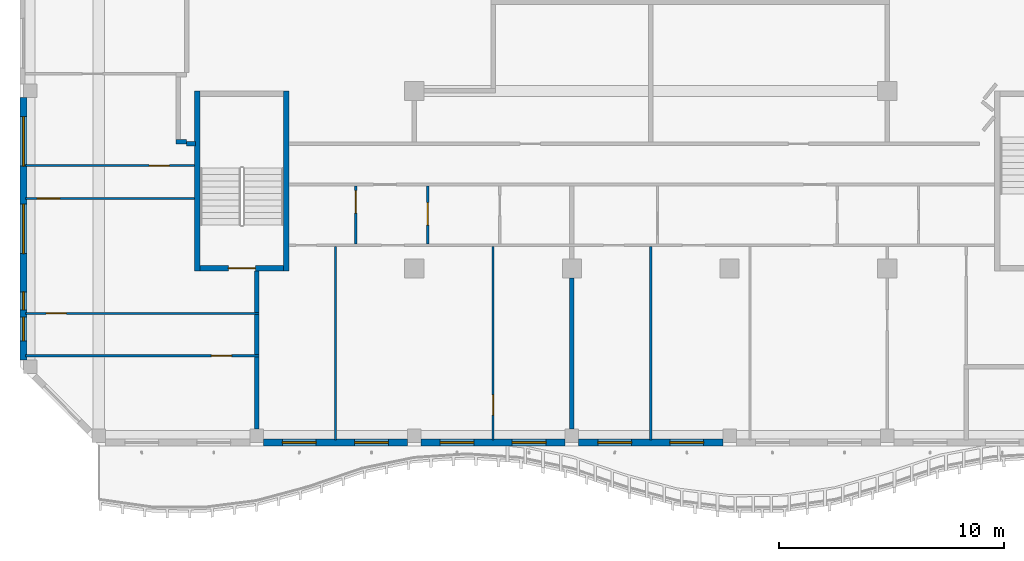
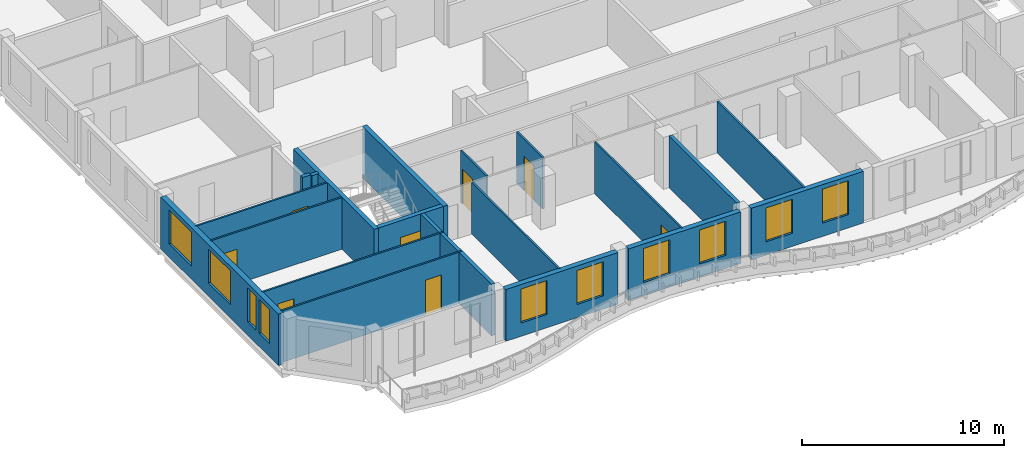
# One storey, part 2 of 17: 22 walls, 10 windows, 8 doors, 18 openings.
"""IFC4 building model written with IfcOpenShell, lengths in metres."""

from ifc_helpers import new_model, si_unit, direction, frame, frame_2d, origin, place, context, subcontext, project, spatial, rectangle, extrude, source, transform, mapped, material, layer, layer_set, type_object, element, fill, save


model = new_model("IFC4")

# Units and contexts
model_context = context("Model", 3, precision=1e-05, world=origin(), true_north=direction((0.0, 1.0)))
body_context = subcontext(model_context, "Body", "Model", "MODEL_VIEW")
ifc_project = project(units=[si_unit("LENGTHUNIT", "METRE"), si_unit("AREAUNIT", "SQUARE_METRE"), si_unit("VOLUMEUNIT", "CUBIC_METRE"), si_unit("PLANEANGLEUNIT", "RADIAN"), si_unit("MASSUNIT", "GRAM", prefix="KILO")], contexts=[model_context])

# Site, building, storey
site_placement = place(None, origin())
site = spatial("IfcSite", under=ifc_project, at=site_placement, CompositionType="ELEMENT")
building_placement = place(site_placement, origin())
building = spatial("IfcBuilding", under=site, at=building_placement, Name="Kilnfold Tower and Market Hall", CompositionType="ELEMENT")
storey_placement = place(building_placement, frame((0.0, 0.0, 298.39990234375)))
storey = spatial("IfcBuildingStorey", under=building, at=storey_placement, Name="L74", CompositionType="ELEMENT", Elevation=298.39990234375)

# Wall, opening, door
ifc_material_1 = material(Name="Gypsum board on steel studs", Category="steel")
ifc_layer_1 = layer(ifc_material_1, 0.10009765625)
ifc_layer_set_1 = layer_set([ifc_layer_1], Name="Gypsum board on steel studs")
wall_type_1 = type_object("IfcWallType", Name="WALL PARTITION 100", PredefinedType="PARTITIONING", material=ifc_layer_set_1)
wall_1_placement = place(storey_placement, frame((-14.89990234375, -19.5, 0.0), z_axis=(0.0, 0.0, 1.0), x_axis=(-1.0, 0.0, 0.0)))
wall_1 = element("IfcWall", 1, at=wall_1_placement, inside=storey, type_object=wall_type_1, Name="Partition LY45.23", PredefinedType="PARTITIONING", context=body_context, shape_type="SweptSolid", body=[
    extrude(rectangle(XDim=10.35009765625, YDim=0.10009765625, at=frame_2d((5.175048828125, 0.0))), origin(), (0.0, 0.0, 1.0), 3.1201171875),
])
opening_1_placement = place(wall_1_placement, frame((1.2060546875, 0.0, 0.0)))
opening_1 = element("IfcOpeningElement", 2, at=opening_1_placement, cuts=wall_1, Name="Opening D2", PredefinedType="OPENING", context=body_context, shape_type="SweptSolid", body=[
    extrude(rectangle(XDim=0.89990234375, YDim=2.10009765625, at=frame_2d((0.449951171875, 1.050048828125))), frame((0.0, 0.06005859375, 0.0), z_axis=(0.0, -1.0, 0.0), x_axis=(1.0, 0.0, 0.0)), (0.0, 0.0, 1.0), 0.1201171875),
])
ifc_material_2 = material(Name="Timber veneer door leaf in steel frame", Category="steel")
door_type_1 = type_object("IfcDoorType", Name="DOOR ROOM 900 X2100", OperationType="NOTDEFINED", PredefinedType="DOOR", material=ifc_material_2)
door_1_placement = place(opening_1_placement, origin())
door_1 = element("IfcDoor", 3, at=door_1_placement, inside=storey, type_object=door_type_1, Name="Door D2", OperationType="SINGLE_SWING_RIGHT", OverallHeight=2.10009765625, OverallWidth=0.89990234375, PredefinedType="DOOR", context=body_context, shape_type="SweptSolid", body=[
    extrude(rectangle(XDim=0.89990234375, YDim=2.10009765625, at=frame_2d((0.449951171875, 1.050048828125))), frame((0.0, 0.02490234375, 0.0), z_axis=(0.0, -1.0, 0.0), x_axis=(1.0, 0.0, 0.0)), (0.0, 0.0, 1.0), 0.050048828125),
])
fill(opening_1, door_1)

wall_2_placement = place(storey_placement, frame((-14.89990234375, -17.625, 0.0), z_axis=(0.0, 0.0, 1.0), x_axis=(-1.0, 0.0, 0.0)))
wall_2 = element("IfcWall", 4, at=wall_2_placement, inside=storey, type_object=wall_type_1, Name="Partition LY45.25", PredefinedType="PARTITIONING", context=body_context, shape_type="SweptSolid", body=[
    extrude(rectangle(XDim=10.35009765625, YDim=0.10009765625, at=frame_2d((5.175048828125, 0.0))), origin(), (0.0, 0.0, 1.0), 3.1201171875),
])
opening_2_placement = place(wall_2_placement, frame((8.5458984375, 0.0, 0.0)))
opening_2 = element("IfcOpeningElement", 5, at=opening_2_placement, cuts=wall_2, Name="Opening D2", PredefinedType="OPENING", context=body_context, shape_type="SweptSolid", body=[
    extrude(rectangle(XDim=0.89990234375, YDim=2.10009765625, at=frame_2d((0.449951171875, 1.050048828125))), frame((0.0, 0.06005859375, 0.0), z_axis=(0.0, -1.0, 0.0), x_axis=(1.0, 0.0, 0.0)), (0.0, 0.0, 1.0), 0.1201171875),
])
door_2_placement = place(opening_2_placement, origin())
door_2 = element("IfcDoor", 6, at=door_2_placement, inside=storey, type_object=door_type_1, Name="Door D2", OperationType="SINGLE_SWING_LEFT", OverallHeight=2.10009765625, OverallWidth=0.89990234375, PredefinedType="DOOR", context=body_context, shape_type="SweptSolid", body=[
    extrude(rectangle(XDim=0.89990234375, YDim=2.10009765625, at=frame_2d((0.449951171875, 1.050048828125))), frame((0.0, 0.02490234375, 0.0), z_axis=(0.0, -1.0, 0.0), x_axis=(1.0, 0.0, 0.0)), (0.0, 0.0, 1.0), 0.050048828125),
])
fill(opening_2, door_2)

wall_3_placement = place(storey_placement, frame((-17.75, -12.52490234375, 0.0), z_axis=(0.0, 0.0, 1.0), x_axis=(-1.0, 0.0, 0.0)))
wall_3 = element("IfcWall", 7, at=wall_3_placement, inside=storey, type_object=wall_type_1, Name="Partition LY45.27", PredefinedType="PARTITIONING", context=body_context, shape_type="SweptSolid", body=[
    extrude(rectangle(XDim=7.5, YDim=0.10009765625, at=frame_2d((3.75, 0.0))), origin(), (0.0, 0.0, 1.0), 3.1201171875),
])
opening_3_placement = place(wall_3_placement, frame((5.9951171875, 0.0, 0.0)))
opening_3 = element("IfcOpeningElement", 8, at=opening_3_placement, cuts=wall_3, Name="Opening D1", PredefinedType="OPENING", context=body_context, shape_type="SweptSolid", body=[
    extrude(rectangle(XDim=1.0, YDim=2.10009765625, at=frame_2d((0.5, 1.050048828125))), frame((0.0, 0.06005859375, 0.0), z_axis=(0.0, -1.0, 0.0), x_axis=(1.0, 0.0, 0.0)), (0.0, 0.0, 1.0), 0.1201171875),
])
ifc_material_3 = material(Name="Timber veneer door leaf in steel frame", Category="steel")
door_type_2 = type_object("IfcDoorType", Name="DOOR ENTRY 1000 X2100", OperationType="NOTDEFINED", PredefinedType="DOOR", material=ifc_material_3)
door_3_placement = place(opening_3_placement, origin())
door_3 = element("IfcDoor", 9, at=door_3_placement, inside=storey, type_object=door_type_2, Name="Door D1", OperationType="SINGLE_SWING_LEFT", OverallHeight=2.10009765625, OverallWidth=1.0, PredefinedType="DOOR", context=body_context, shape_type="SweptSolid", body=[
    extrude(rectangle(XDim=1.0, YDim=2.10009765625, at=frame_2d((0.5, 1.050048828125))), frame((0.0, 0.02490234375, 0.0), z_axis=(0.0, -1.0, 0.0), x_axis=(1.0, 0.0, 0.0)), (0.0, 0.0, 1.0), 0.050048828125),
])
fill(opening_3, door_3)

wall_4_placement = place(storey_placement, frame((-17.75, -11.06201171875, 0.0), z_axis=(0.0, 0.0, 1.0), x_axis=(-1.0, 0.0, 0.0)))
wall_4 = element("IfcWall", 10, at=wall_4_placement, inside=storey, type_object=wall_type_1, Name="Partition LY45.29", PredefinedType="PARTITIONING", context=body_context, shape_type="SweptSolid", body=[
    extrude(rectangle(XDim=7.5, YDim=0.10009765625, at=frame_2d((3.75, 0.0))), origin(), (0.0, 0.0, 1.0), 3.1201171875),
])
opening_4_placement = place(wall_4_placement, frame((1.114990234375, 0.0, 0.0)))
opening_4 = element("IfcOpeningElement", 11, at=opening_4_placement, cuts=wall_4, Name="Opening D2", PredefinedType="OPENING", context=body_context, shape_type="SweptSolid", body=[
    extrude(rectangle(XDim=0.89990234375, YDim=2.10009765625, at=frame_2d((0.449951171875, 1.050048828125))), frame((0.0, 0.06005859375, 0.0), z_axis=(0.0, -1.0, 0.0), x_axis=(1.0, 0.0, 0.0)), (0.0, 0.0, 1.0), 0.1201171875),
])
door_4_placement = place(opening_4_placement, origin())
door_4 = element("IfcDoor", 12, at=door_4_placement, inside=storey, type_object=door_type_1, Name="Door D2", OperationType="SINGLE_SWING_LEFT", OverallHeight=2.10009765625, OverallWidth=0.89990234375, PredefinedType="DOOR", context=body_context, shape_type="SweptSolid", body=[
    extrude(rectangle(XDim=0.89990234375, YDim=2.10009765625, at=frame_2d((0.449951171875, 1.050048828125))), frame((0.0, 0.02490234375, 0.0), z_axis=(0.0, -1.0, 0.0), x_axis=(1.0, 0.0, 0.0)), (0.0, 0.0, 1.0), 0.050048828125),
])
fill(opening_4, door_4)

wall_5_placement = place(storey_placement, frame((-10.60009765625, -14.550048828125, 0.0), z_axis=(0.0, 0.0, 1.0), x_axis=(0.0, 1.0, 0.0)))
wall_5 = element("IfcWall", 13, at=wall_5_placement, inside=storey, type_object=wall_type_1, Name="Partition LY45.40", PredefinedType="PARTITIONING", context=body_context, shape_type="SweptSolid", body=[
    extrude(rectangle(XDim=2.572998046875, YDim=0.10009765625, at=frame_2d((1.28662109375, 0.0))), origin(), (0.0, 0.0, 1.0), 3.1201171875),
])
opening_5_placement = place(wall_5_placement, frame((1.373046875, 0.0, 0.0)))
opening_5 = element("IfcOpeningElement", 14, at=opening_5_placement, cuts=wall_5, Name="Opening D1", PredefinedType="OPENING", context=body_context, shape_type="SweptSolid", body=[
    extrude(rectangle(XDim=1.0, YDim=2.10009765625, at=frame_2d((0.5, 1.050048828125))), frame((0.0, 0.06005859375, 0.0), z_axis=(0.0, -1.0, 0.0), x_axis=(1.0, 0.0, 0.0)), (0.0, 0.0, 1.0), 0.1201171875),
])
door_5_placement = place(opening_5_placement, origin())
door_5 = element("IfcDoor", 15, at=door_5_placement, inside=storey, type_object=door_type_2, Name="Door D1", OperationType="SINGLE_SWING_LEFT", OverallHeight=2.10009765625, OverallWidth=1.0, PredefinedType="DOOR", context=body_context, shape_type="SweptSolid", body=[
    extrude(rectangle(XDim=1.0, YDim=2.10009765625, at=frame_2d((0.5, 1.050048828125))), frame((0.0, 0.02490234375, 0.0), z_axis=(0.0, -1.0, 0.0), x_axis=(1.0, 0.0, 0.0)), (0.0, 0.0, 1.0), 0.050048828125),
])
fill(opening_5, door_5)

wall_6_placement = place(storey_placement, frame((-7.39990234375, -14.550048828125, 0.0), z_axis=(0.0, 0.0, 1.0), x_axis=(0.0, 1.0, 0.0)))
wall_6 = element("IfcWall", 16, at=wall_6_placement, inside=storey, type_object=wall_type_1, Name="Partition LY45.42", PredefinedType="PARTITIONING", context=body_context, shape_type="SweptSolid", body=[
    extrude(rectangle(XDim=2.572998046875, YDim=0.10009765625, at=frame_2d((1.28662109375, 0.0))), origin(), (0.0, 0.0, 1.0), 3.1201171875),
])
opening_6_placement = place(wall_6_placement, frame((0.840087890625, 0.0, 0.0)))
opening_6 = element("IfcOpeningElement", 17, at=opening_6_placement, cuts=wall_6, Name="Opening D1", PredefinedType="OPENING", context=body_context, shape_type="SweptSolid", body=[
    extrude(rectangle(XDim=1.0, YDim=2.10009765625, at=frame_2d((0.5, 1.050048828125))), frame((0.0, 0.06005859375, 0.0), z_axis=(0.0, -1.0, 0.0), x_axis=(1.0, 0.0, 0.0)), (0.0, 0.0, 1.0), 0.1201171875),
])
door_6_placement = place(opening_6_placement, origin())
door_6 = element("IfcDoor", 18, at=door_6_placement, inside=storey, type_object=door_type_2, Name="Door D1", OperationType="SINGLE_SWING_LEFT", OverallHeight=2.10009765625, OverallWidth=1.0, PredefinedType="DOOR", context=body_context, shape_type="SweptSolid", body=[
    extrude(rectangle(XDim=1.0, YDim=2.10009765625, at=frame_2d((0.5, 1.050048828125))), frame((0.0, 0.02490234375, 0.0), z_axis=(0.0, -1.0, 0.0), x_axis=(1.0, 0.0, 0.0)), (0.0, 0.0, 1.0), 0.050048828125),
])
fill(opening_6, door_6)

# Wall
wall_7_placement = place(storey_placement, frame((-11.5, -23.25, 0.0), z_axis=(0.0, 0.0, 1.0), x_axis=(0.0, 1.0, 0.0)))
element("IfcWall", 19, at=wall_7_placement, inside=storey, type_object=wall_type_1, Name="Partition LY45.45", PredefinedType="PARTITIONING", context=body_context, shape_type="SweptSolid", body=[
    extrude(rectangle(XDim=8.597900390625, YDim=0.10009765625, at=frame_2d((4.298828125, 0.0))), origin(), (0.0, 0.0, 1.0), 3.1201171875),
])

# Wall, opening, door
wall_8_placement = place(storey_placement, frame((-4.5, -23.25, 0.0), z_axis=(0.0, 0.0, 1.0), x_axis=(0.0, 1.0, 0.0)))
wall_8 = element("IfcWall", 20, at=wall_8_placement, inside=storey, type_object=wall_type_1, Name="Partition LY45.46", PredefinedType="PARTITIONING", context=body_context, shape_type="SweptSolid", body=[
    extrude(rectangle(XDim=8.597900390625, YDim=0.10009765625, at=frame_2d((4.298828125, 0.0))), origin(), (0.0, 0.0, 1.0), 3.1201171875),
])
opening_7_placement = place(wall_8_placement, frame((1.112060546875, 0.0, 0.0)))
opening_7 = element("IfcOpeningElement", 21, at=opening_7_placement, cuts=wall_8, Name="Opening D2", PredefinedType="OPENING", context=body_context, shape_type="SweptSolid", body=[
    extrude(rectangle(XDim=0.89990234375, YDim=2.10009765625, at=frame_2d((0.449951171875, 1.050048828125))), frame((0.0, 0.06005859375, 0.0), z_axis=(0.0, -1.0, 0.0), x_axis=(1.0, 0.0, 0.0)), (0.0, 0.0, 1.0), 0.1201171875),
])
door_7_placement = place(opening_7_placement, origin())
door_7 = element("IfcDoor", 22, at=door_7_placement, inside=storey, type_object=door_type_1, Name="Door D2", OperationType="SINGLE_SWING_RIGHT", OverallHeight=2.10009765625, OverallWidth=0.89990234375, PredefinedType="DOOR", context=body_context, shape_type="SweptSolid", body=[
    extrude(rectangle(XDim=0.89990234375, YDim=2.10009765625, at=frame_2d((0.449951171875, 1.050048828125))), frame((0.0, 0.02490234375, 0.0), z_axis=(0.0, -1.0, 0.0), x_axis=(1.0, 0.0, 0.0)), (0.0, 0.0, 1.0), 0.050048828125),
])
fill(opening_7, door_7)

# Walls
wall_9_placement = place(storey_placement, frame((2.5, -23.25, 0.0), z_axis=(0.0, 0.0, 1.0), x_axis=(0.0, 1.0, 0.0)))
element("IfcWall", 23, at=wall_9_placement, inside=storey, type_object=wall_type_1, Name="Partition LY45.52", PredefinedType="PARTITIONING", context=body_context, shape_type="SweptSolid", body=[
    extrude(rectangle(XDim=8.597900390625, YDim=0.10009765625, at=frame_2d((4.298828125, 0.0))), origin(), (0.0, 0.0, 1.0), 3.1201171875),
])
ifc_material_4 = material(Name="Gypsum board on steel studs", Category="steel")
ifc_layer_2 = layer(ifc_material_4, 0.199951171875)
ifc_layer_set_2 = layer_set([ifc_layer_2], Name="Gypsum board on steel studs")
wall_type_2 = type_object("IfcWallType", Name="WALL PARTY 200", PredefinedType="PARTITIONING", material=ifc_layer_set_2)
wall_10_placement = place(storey_placement, frame((-15.0, -22.75, 0.0), z_axis=(0.0, 0.0, 1.0), x_axis=(0.0, 1.0, 0.0)))
element("IfcWall", 24, at=wall_10_placement, inside=storey, type_object=wall_type_2, Name="Partition LY45.24", PredefinedType="PARTITIONING", context=body_context, shape_type="SweptSolid", body=[
    extrude(rectangle(XDim=3.199951171875, YDim=0.199951171875, at=frame_2d((1.60009765625, 0.0))), origin(), (0.0, 0.0, 1.0), 3.1201171875),
])
wall_11_placement = place(storey_placement, frame((-15.0, -19.449951171875, 0.0), z_axis=(0.0, 0.0, 1.0), x_axis=(0.0, 1.0, 0.0)))
element("IfcWall", 25, at=wall_11_placement, inside=storey, type_object=wall_type_2, Name="Partition LY45.26", PredefinedType="PARTITIONING", context=body_context, shape_type="SweptSolid", body=[
    extrude(rectangle(XDim=1.77490234375, YDim=0.199951171875, at=frame_2d((0.887451171875, 0.0))), origin(), (0.0, 0.0, 1.0), 3.1201171875),
])
wall_12_placement = place(storey_placement, frame((-15.0, -17.574951171875, 0.0), z_axis=(0.0, 0.0, 1.0), x_axis=(0.0, 1.0, 0.0)))
element("IfcWall", 26, at=wall_12_placement, inside=storey, type_object=wall_type_2, Name="Partition LY45.28", PredefinedType="PARTITIONING", context=body_context, shape_type="SweptSolid", body=[
    extrude(rectangle(XDim=1.824951171875, YDim=0.199951171875, at=frame_2d((0.91259765625, 0.0))), origin(), (0.0, 0.0, 1.0), 3.1201171875),
])
wall_13_placement = place(storey_placement, frame((-17.699951171875, -10.10009765625, 0.0), z_axis=(0.0, 0.0, 1.0), x_axis=(-1.0, 0.0, 0.0)))
element("IfcWall", 27, at=wall_13_placement, inside=storey, type_object=wall_type_2, Name="Partition LY45.31", PredefinedType="PARTITIONING", context=body_context, shape_type="SweptSolid", body=[
    extrude(rectangle(XDim=0.400146484375, YDim=0.199951171875, at=frame_2d((0.2001953125, 0.0))), origin(), (0.0, 0.0, 1.0), 3.1201171875),
])
wall_14_placement = place(storey_placement, frame((-18.10009765625, -10.001953125, 0.0), z_axis=(0.0, 0.0, 1.0), x_axis=(-1.0, 0.0, 0.0)))
element("IfcWall", 28, at=wall_14_placement, inside=storey, type_object=wall_type_2, Name="Partition LY45.34", PredefinedType="PARTITIONING", context=body_context, shape_type="SweptSolid", body=[
    extrude(rectangle(XDim=0.48193359375, YDim=0.199951171875, at=frame_2d((0.240966796875, 0.0))), origin(), (0.0, 0.0, 1.0), 3.1201171875),
])
wall_15_placement = place(storey_placement, frame((-1.0, -22.75, 0.0), z_axis=(0.0, 0.0, 1.0), x_axis=(0.0, 1.0, 0.0)))
element("IfcWall", 29, at=wall_15_placement, inside=storey, type_object=wall_type_2, Name="Partition LY45.48", PredefinedType="PARTITIONING", context=body_context, shape_type="SweptSolid", body=[
    extrude(rectangle(XDim=6.699951171875, YDim=0.199951171875, at=frame_2d((3.35009765625, 0.0))), origin(), (0.0, 0.0, 1.0), 3.1201171875),
])

# Wall, opening, door
ifc_material_5 = material(Name="Concrete C50", Category="concrete")
ifc_layer_3 = layer(ifc_material_5, 0.25)
ifc_layer_set_3 = layer_set([ifc_layer_3], Name="Concrete C50")
wall_type_3 = type_object("IfcWallType", Name="CORE WALL 250 C50", PredefinedType="SHEAR", material=ifc_layer_set_3)
shared_shape_1 = source(origin(), body_context, "Body", "SweptSolid", [
    extrude(rectangle(XDim=3.699951171875, YDim=0.25, at=frame_2d((1.85009765625, 0.0))), origin(), (0.0, 0.0, 1.0), 3.1201171875),
])
wall_16_placement = place(storey_placement, frame((-17.5, -15.625, 0.0), z_axis=(0.0, 0.0, 1.0), x_axis=(1.0, 0.0, 0.0)))
wall_16 = element("IfcWall", 30, at=wall_16_placement, inside=storey, type_object=wall_type_3, Name="Stair enclosure ST3", PredefinedType="SHEAR", context=body_context, shape_type="MappedRepresentation", body=[
    mapped(shared_shape_1, transform((0.0, 0.0, 0.0))),
])
opening_8_placement = place(wall_16_placement, frame((1.25, 0.0, 0.0)))
opening_8 = element("IfcOpeningElement", 31, at=opening_8_placement, cuts=wall_16, Name="Opening SD1", PredefinedType="OPENING", context=body_context, shape_type="SweptSolid", body=[
    extrude(rectangle(XDim=1.199951171875, YDim=2.10009765625, at=frame_2d((0.60009765625, 1.050048828125))), frame((0.0, 0.135009765625, 0.0), z_axis=(0.0, -1.0, 0.0), x_axis=(1.0, 0.0, 0.0)), (0.0, 0.0, 1.0), 0.27001953125),
])
ifc_material_6 = material(Name="Steel door set with fire-resisting leaf", Category="steel")
door_type_3 = type_object("IfcDoorType", Name="STAIR FLOOR DOOR 1200X2100", OperationType="NOTDEFINED", PredefinedType="DOOR", material=ifc_material_6)
door_8_placement = place(opening_8_placement, origin())
door_8 = element("IfcDoor", 32, at=door_8_placement, inside=storey, type_object=door_type_3, Name="Exit stair ST3 door", OperationType="DOUBLE_DOOR_SINGLE_SWING", OverallHeight=2.10009765625, OverallWidth=1.199951171875, PredefinedType="DOOR", context=body_context, shape_type="SweptSolid", body=[
    extrude(rectangle(XDim=1.199951171875, YDim=2.10009765625, at=frame_2d((0.60009765625, 1.050048828125))), frame((0.0, 0.02490234375, 0.0), z_axis=(0.0, -1.0, 0.0), x_axis=(1.0, 0.0, 0.0)), (0.0, 0.0, 1.0), 0.050048828125),
])
fill(opening_8, door_8)

# Walls
shared_shape_2 = source(origin(), body_context, "Body", "SweptSolid", [
    extrude(rectangle(XDim=8.0, YDim=0.25, at=frame_2d((4.0, 0.0))), origin(), (0.0, 0.0, 1.0), 3.1201171875),
])
for number, where, z_axis, x_axis, name in (
    (33, (-17.625, -15.75, 0.0), (0.0, 0.0, 1.0), (0.0, 1.0, 0.0), "Stair enclosure ST3"),
    (34, (-13.675048828125, -15.75, 0.0), (0.0, 0.0, 1.0), (0.0, 1.0, 0.0), "Stair enclosure ST3"),
):
    element("IfcWall", number, at=place(storey_placement, frame(where, z_axis=z_axis, x_axis=x_axis)), inside=storey, type_object=wall_type_3, Name=name, PredefinedType="SHEAR", context=body_context, shape_type="MappedRepresentation", body=[
        mapped(shared_shape_2, transform((0.0, 0.0, 0.0))),
    ])

# Wall, openings, windows
ifc_material_7 = material(Name="Precast concrete C50/60", Category="concrete")
ifc_layer_4 = layer(ifc_material_7, 0.300048828125)
ifc_layer_set_4 = layer_set([ifc_layer_4], Name="Precast concrete C50/60")
wall_type_4 = type_object("IfcWallType", Name="PRECAST WALL 300", PredefinedType="SOLIDWALL", material=ifc_layer_set_4)
shared_shape_3 = source(origin(), body_context, "Body", "SweptSolid", [
    extrude(rectangle(XDim=6.39990234375, YDim=0.300048828125, at=frame_2d((3.199951171875, 0.0))), origin(), (0.0, 0.0, 1.0), 3.1201171875),
])
wall_17_placement = place(storey_placement, frame((-14.699951171875, -23.35009765625, 0.0), z_axis=(0.0, 0.0, 1.0), x_axis=(1.0, 0.0, 0.0)))
wall_17 = element("IfcWall", 35, at=wall_17_placement, inside=storey, type_object=wall_type_4, Name="External wall L74 S", PredefinedType="SOLIDWALL", context=body_context, shape_type="MappedRepresentation", body=[
    mapped(shared_shape_3, transform((0.0, 0.0, 0.0))),
])
opening_9_placement = place(wall_17_placement, frame((0.85009765625, 0.0, 0.800048828125)))
opening_9 = element("IfcOpeningElement", 36, at=opening_9_placement, cuts=wall_17, Name="Opening W5", PredefinedType="OPENING", context=body_context, shape_type="SweptSolid", body=[
    extrude(rectangle(XDim=1.5, YDim=2.050048828125, at=frame_2d((0.75, 1.02490234375))), frame((0.0, 0.16015625, 0.0), z_axis=(0.0, -1.0, 0.0), x_axis=(1.0, 0.0, 0.0)), (0.0, 0.0, 1.0), 0.320068359375),
])
opening_10_placement = place(wall_17_placement, frame((4.050048828125, 0.0, 0.800048828125)))
opening_10 = element("IfcOpeningElement", 37, at=opening_10_placement, cuts=wall_17, Name="Opening W5", PredefinedType="OPENING", context=body_context, shape_type="SweptSolid", body=[
    extrude(rectangle(XDim=1.5, YDim=2.050048828125, at=frame_2d((0.75, 1.02490234375))), frame((0.0, 0.16015625, 0.0), z_axis=(0.0, -1.0, 0.0), x_axis=(1.0, 0.0, 0.0)), (0.0, 0.0, 1.0), 0.320068359375),
])
ifc_material_8 = material(Name="Aluminium frame and double glazing", Category="aluminium")
window_type_1 = type_object("IfcWindowType", Name="WINDOW W5 1500X2050", PartitioningType="SINGLE_PANEL", PredefinedType="WINDOW", material=ifc_material_8)
window_1_placement = place(opening_9_placement, origin())
window_1 = element("IfcWindow", 38, at=window_1_placement, inside=storey, type_object=window_type_1, Name="Window W5 L74 S-1", OverallHeight=2.050048828125, OverallWidth=1.5, PartitioningType="SINGLE_PANEL", PredefinedType="WINDOW", context=body_context, shape_type="SweptSolid", body=[
    extrude(rectangle(XDim=1.5, YDim=2.050048828125, at=frame_2d((0.75, 1.02490234375))), frame((0.0, 0.030029296875, 0.0), z_axis=(0.0, -1.0, 0.0), x_axis=(1.0, 0.0, 0.0)), (0.0, 0.0, 1.0), 0.06005859375),
])
fill(opening_9, window_1)
window_2_placement = place(opening_10_placement, origin())
window_2 = element("IfcWindow", 39, at=window_2_placement, inside=storey, type_object=window_type_1, Name="Window W5 L74 S-2", OverallHeight=2.050048828125, OverallWidth=1.5, PartitioningType="SINGLE_PANEL", PredefinedType="WINDOW", context=body_context, shape_type="SweptSolid", body=[
    extrude(rectangle(XDim=1.5, YDim=2.050048828125, at=frame_2d((0.75, 1.02490234375))), frame((0.0, 0.030029296875, 0.0), z_axis=(0.0, -1.0, 0.0), x_axis=(1.0, 0.0, 0.0)), (0.0, 0.0, 1.0), 0.06005859375),
])
fill(opening_10, window_2)

wall_18_placement = place(storey_placement, frame((-7.699951171875, -23.35009765625, 0.0), z_axis=(0.0, 0.0, 1.0), x_axis=(1.0, 0.0, 0.0)))
wall_18 = element("IfcWall", 40, at=wall_18_placement, inside=storey, type_object=wall_type_4, Name="External wall L74 S", PredefinedType="SOLIDWALL", context=body_context, shape_type="MappedRepresentation", body=[
    mapped(shared_shape_3, transform((0.0, 0.0, 0.0))),
])
opening_11_placement = place(wall_18_placement, frame((0.85009765625, 0.0, 0.800048828125)))
opening_11 = element("IfcOpeningElement", 41, at=opening_11_placement, cuts=wall_18, Name="Opening W5", PredefinedType="OPENING", context=body_context, shape_type="SweptSolid", body=[
    extrude(rectangle(XDim=1.5, YDim=2.050048828125, at=frame_2d((0.75, 1.02490234375))), frame((0.0, 0.16015625, 0.0), z_axis=(0.0, -1.0, 0.0), x_axis=(1.0, 0.0, 0.0)), (0.0, 0.0, 1.0), 0.320068359375),
])
opening_12_placement = place(wall_18_placement, frame((4.050048828125, 0.0, 0.800048828125)))
opening_12 = element("IfcOpeningElement", 42, at=opening_12_placement, cuts=wall_18, Name="Opening W5", PredefinedType="OPENING", context=body_context, shape_type="SweptSolid", body=[
    extrude(rectangle(XDim=1.5, YDim=2.050048828125, at=frame_2d((0.75, 1.02490234375))), frame((0.0, 0.16015625, 0.0), z_axis=(0.0, -1.0, 0.0), x_axis=(1.0, 0.0, 0.0)), (0.0, 0.0, 1.0), 0.320068359375),
])
window_3_placement = place(opening_11_placement, origin())
window_3 = element("IfcWindow", 43, at=window_3_placement, inside=storey, type_object=window_type_1, Name="Window W5 L74 S-1", OverallHeight=2.050048828125, OverallWidth=1.5, PartitioningType="SINGLE_PANEL", PredefinedType="WINDOW", context=body_context, shape_type="SweptSolid", body=[
    extrude(rectangle(XDim=1.5, YDim=2.050048828125, at=frame_2d((0.75, 1.02490234375))), frame((0.0, 0.030029296875, 0.0), z_axis=(0.0, -1.0, 0.0), x_axis=(1.0, 0.0, 0.0)), (0.0, 0.0, 1.0), 0.06005859375),
])
fill(opening_11, window_3)
window_4_placement = place(opening_12_placement, origin())
window_4 = element("IfcWindow", 44, at=window_4_placement, inside=storey, type_object=window_type_1, Name="Window W5 L74 S-2", OverallHeight=2.050048828125, OverallWidth=1.5, PartitioningType="SINGLE_PANEL", PredefinedType="WINDOW", context=body_context, shape_type="SweptSolid", body=[
    extrude(rectangle(XDim=1.5, YDim=2.050048828125, at=frame_2d((0.75, 1.02490234375))), frame((0.0, 0.030029296875, 0.0), z_axis=(0.0, -1.0, 0.0), x_axis=(1.0, 0.0, 0.0)), (0.0, 0.0, 1.0), 0.06005859375),
])
fill(opening_12, window_4)

wall_19_placement = place(storey_placement, frame((-0.699951171875, -23.35009765625, 0.0), z_axis=(0.0, 0.0, 1.0), x_axis=(1.0, 0.0, 0.0)))
wall_19 = element("IfcWall", 45, at=wall_19_placement, inside=storey, type_object=wall_type_4, Name="External wall L74 S", PredefinedType="SOLIDWALL", context=body_context, shape_type="MappedRepresentation", body=[
    mapped(shared_shape_3, transform((0.0, 0.0, 0.0))),
])
opening_13_placement = place(wall_19_placement, frame((0.85009765625, 0.0, 0.800048828125)))
opening_13 = element("IfcOpeningElement", 46, at=opening_13_placement, cuts=wall_19, Name="Opening W5", PredefinedType="OPENING", context=body_context, shape_type="SweptSolid", body=[
    extrude(rectangle(XDim=1.5, YDim=2.050048828125, at=frame_2d((0.75, 1.02490234375))), frame((0.0, 0.16015625, 0.0), z_axis=(0.0, -1.0, 0.0), x_axis=(1.0, 0.0, 0.0)), (0.0, 0.0, 1.0), 0.320068359375),
])
opening_14_placement = place(wall_19_placement, frame((4.050048828125, 0.0, 0.800048828125)))
opening_14 = element("IfcOpeningElement", 47, at=opening_14_placement, cuts=wall_19, Name="Opening W5", PredefinedType="OPENING", context=body_context, shape_type="SweptSolid", body=[
    extrude(rectangle(XDim=1.5, YDim=2.050048828125, at=frame_2d((0.75, 1.02490234375))), frame((0.0, 0.16015625, 0.0), z_axis=(0.0, -1.0, 0.0), x_axis=(1.0, 0.0, 0.0)), (0.0, 0.0, 1.0), 0.320068359375),
])
window_5_placement = place(opening_13_placement, origin())
window_5 = element("IfcWindow", 48, at=window_5_placement, inside=storey, type_object=window_type_1, Name="Window W5 L74 S-1", OverallHeight=2.050048828125, OverallWidth=1.5, PartitioningType="SINGLE_PANEL", PredefinedType="WINDOW", context=body_context, shape_type="SweptSolid", body=[
    extrude(rectangle(XDim=1.5, YDim=2.050048828125, at=frame_2d((0.75, 1.02490234375))), frame((0.0, 0.030029296875, 0.0), z_axis=(0.0, -1.0, 0.0), x_axis=(1.0, 0.0, 0.0)), (0.0, 0.0, 1.0), 0.06005859375),
])
fill(opening_13, window_5)
window_6_placement = place(opening_14_placement, origin())
window_6 = element("IfcWindow", 49, at=window_6_placement, inside=storey, type_object=window_type_1, Name="Window W5 L74 S-2", OverallHeight=2.050048828125, OverallWidth=1.5, PartitioningType="SINGLE_PANEL", PredefinedType="WINDOW", context=body_context, shape_type="SweptSolid", body=[
    extrude(rectangle(XDim=1.5, YDim=2.050048828125, at=frame_2d((0.75, 1.02490234375))), frame((0.0, 0.030029296875, 0.0), z_axis=(0.0, -1.0, 0.0), x_axis=(1.0, 0.0, 0.0)), (0.0, 0.0, 1.0), 0.06005859375),
])
fill(opening_14, window_6)

shared_shape_4 = source(origin(), body_context, "Body", "SweptSolid", [
    extrude(rectangle(XDim=11.64990234375, YDim=0.300048828125, at=frame_2d((5.824951171875, 0.0))), origin(), (0.0, 0.0, 1.0), 3.1201171875),
])
wall_20_placement = place(storey_placement, frame((-25.35009765625, -8.050048828125, 0.0), z_axis=(0.0, 0.0, 1.0), x_axis=(0.0, -1.0, 0.0)))
wall_20 = element("IfcWall", 50, at=wall_20_placement, inside=storey, type_object=wall_type_4, Name="External wall L74 W", PredefinedType="SOLIDWALL", context=body_context, shape_type="MappedRepresentation", body=[
    mapped(shared_shape_4, transform((0.0, 0.0, 0.0))),
])
opening_15_placement = place(wall_20_placement, frame((0.841552734375, 0.0, 0.800048828125)))
opening_15 = element("IfcOpeningElement", 51, at=opening_15_placement, cuts=wall_20, Name="Opening W3", PredefinedType="OPENING", context=body_context, shape_type="SweptSolid", body=[
    extrude(rectangle(XDim=2.199951171875, YDim=2.050048828125, at=frame_2d((1.10009765625, 1.02490234375))), frame((0.0, 0.16015625, 0.0), z_axis=(0.0, -1.0, 0.0), x_axis=(1.0, 0.0, 0.0)), (0.0, 0.0, 1.0), 0.320068359375),
])
opening_16_placement = place(wall_20_placement, frame((4.72509765625, 0.0, 0.800048828125)))
opening_16 = element("IfcOpeningElement", 52, at=opening_16_placement, cuts=wall_20, Name="Opening W3", PredefinedType="OPENING", context=body_context, shape_type="SweptSolid", body=[
    extrude(rectangle(XDim=2.199951171875, YDim=2.050048828125, at=frame_2d((1.10009765625, 1.02490234375))), frame((0.0, 0.16015625, 0.0), z_axis=(0.0, -1.0, 0.0), x_axis=(1.0, 0.0, 0.0)), (0.0, 0.0, 1.0), 0.320068359375),
])
opening_17_placement = place(wall_20_placement, frame((8.61669921875, 0.0, 0.800048828125)))
opening_17 = element("IfcOpeningElement", 53, at=opening_17_placement, cuts=wall_20, Name="Opening W3-J", PredefinedType="OPENING", context=body_context, shape_type="SweptSolid", body=[
    extrude(rectangle(XDim=0.800048828125, YDim=2.050048828125, at=frame_2d((0.39990234375, 1.02490234375))), frame((0.0, 0.16015625, 0.0), z_axis=(0.0, -1.0, 0.0), x_axis=(1.0, 0.0, 0.0)), (0.0, 0.0, 1.0), 0.320068359375),
])
opening_18_placement = place(wall_20_placement, frame((9.74169921875, 0.0, 0.800048828125)))
opening_18 = element("IfcOpeningElement", 54, at=opening_18_placement, cuts=wall_20, Name="Opening W3-K", PredefinedType="OPENING", context=body_context, shape_type="SweptSolid", body=[
    extrude(rectangle(XDim=1.050048828125, YDim=2.050048828125, at=frame_2d((0.52490234375, 1.02490234375))), frame((0.0, 0.16015625, 0.0), z_axis=(0.0, -1.0, 0.0), x_axis=(1.0, 0.0, 0.0)), (0.0, 0.0, 1.0), 0.320068359375),
])
ifc_material_9 = material(Name="Aluminium frame and double glazing", Category="aluminium")
window_type_2 = type_object("IfcWindowType", Name="WINDOW W3 2200X2050", PartitioningType="SINGLE_PANEL", PredefinedType="WINDOW", material=ifc_material_9)
window_7_placement = place(opening_15_placement, origin())
window_7 = element("IfcWindow", 55, at=window_7_placement, inside=storey, type_object=window_type_2, Name="Window W3 L74 W-1", OverallHeight=2.050048828125, OverallWidth=2.199951171875, PartitioningType="SINGLE_PANEL", PredefinedType="WINDOW", context=body_context, shape_type="SweptSolid", body=[
    extrude(rectangle(XDim=2.199951171875, YDim=2.050048828125, at=frame_2d((1.10009765625, 1.02490234375))), frame((0.0, 0.030029296875, 0.0), z_axis=(0.0, -1.0, 0.0), x_axis=(1.0, 0.0, 0.0)), (0.0, 0.0, 1.0), 0.06005859375),
])
fill(opening_15, window_7)
window_8_placement = place(opening_16_placement, origin())
window_8 = element("IfcWindow", 56, at=window_8_placement, inside=storey, type_object=window_type_2, Name="Window W3 L74 W-2", OverallHeight=2.050048828125, OverallWidth=2.199951171875, PartitioningType="SINGLE_PANEL", PredefinedType="WINDOW", context=body_context, shape_type="SweptSolid", body=[
    extrude(rectangle(XDim=2.199951171875, YDim=2.050048828125, at=frame_2d((1.10009765625, 1.02490234375))), frame((0.0, 0.030029296875, 0.0), z_axis=(0.0, -1.0, 0.0), x_axis=(1.0, 0.0, 0.0)), (0.0, 0.0, 1.0), 0.06005859375),
])
fill(opening_16, window_8)
ifc_material_10 = material(Name="Aluminium frame and double glazing", Category="aluminium")
window_type_3 = type_object("IfcWindowType", Name="WINDOW W3-J 800X2050", PartitioningType="SINGLE_PANEL", PredefinedType="WINDOW", material=ifc_material_10)
window_9_placement = place(opening_17_placement, origin())
window_9 = element("IfcWindow", 57, at=window_9_placement, inside=storey, type_object=window_type_3, Name="Window W3-J L74 W-3", OverallHeight=2.050048828125, OverallWidth=0.800048828125, PartitioningType="SINGLE_PANEL", PredefinedType="WINDOW", context=body_context, shape_type="SweptSolid", body=[
    extrude(rectangle(XDim=0.800048828125, YDim=2.050048828125, at=frame_2d((0.39990234375, 1.02490234375))), frame((0.0, 0.030029296875, 0.0), z_axis=(0.0, -1.0, 0.0), x_axis=(1.0, 0.0, 0.0)), (0.0, 0.0, 1.0), 0.06005859375),
])
fill(opening_17, window_9)
ifc_material_11 = material(Name="Aluminium frame and double glazing", Category="aluminium")
window_type_4 = type_object("IfcWindowType", Name="WINDOW W3-K 1050X2050", PartitioningType="SINGLE_PANEL", PredefinedType="WINDOW", material=ifc_material_11)
window_10_placement = place(opening_18_placement, origin())
window_10 = element("IfcWindow", 58, at=window_10_placement, inside=storey, type_object=window_type_4, Name="Window W3-J L74 W-3", OverallHeight=2.050048828125, OverallWidth=1.050048828125, PartitioningType="SINGLE_PANEL", PredefinedType="WINDOW", context=body_context, shape_type="SweptSolid", body=[
    extrude(rectangle(XDim=1.050048828125, YDim=2.050048828125, at=frame_2d((0.52490234375, 1.02490234375))), frame((0.0, 0.030029296875, 0.0), z_axis=(0.0, -1.0, 0.0), x_axis=(1.0, 0.0, 0.0)), (0.0, 0.0, 1.0), 0.06005859375),
])
fill(opening_18, window_10)

save(model, "model.ifc")
